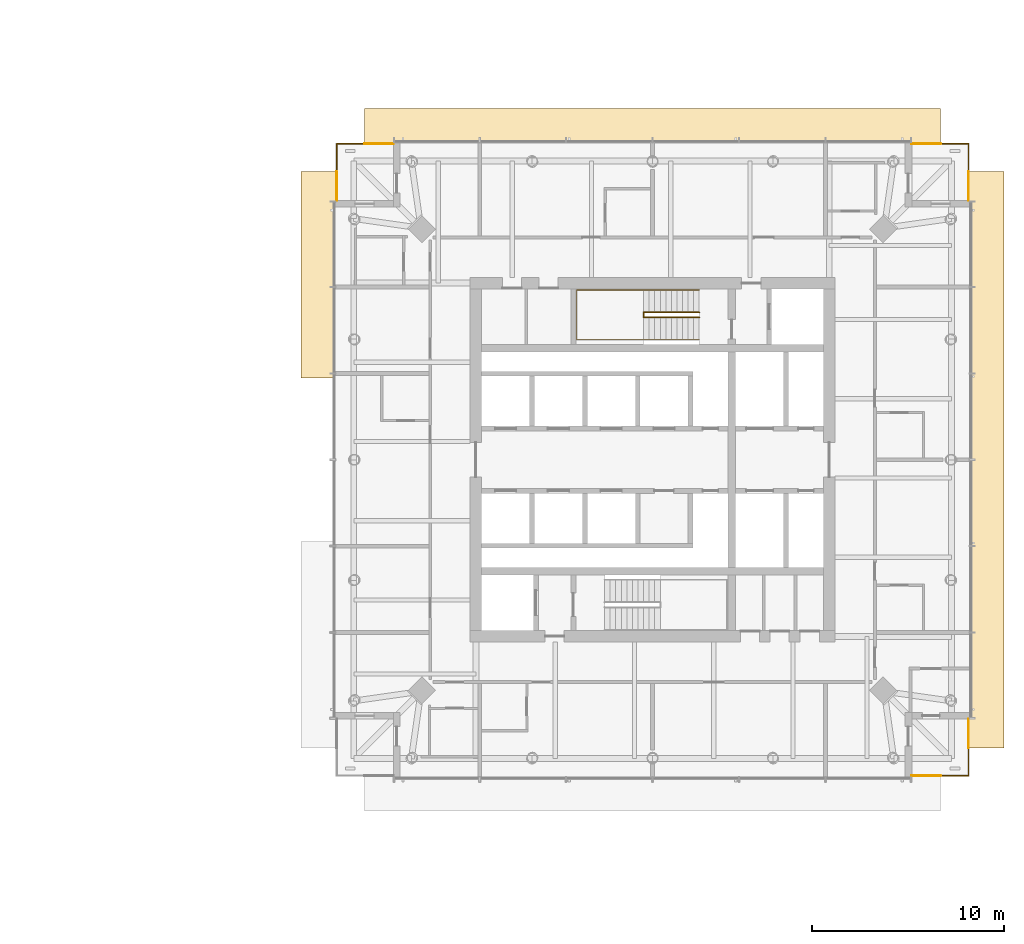
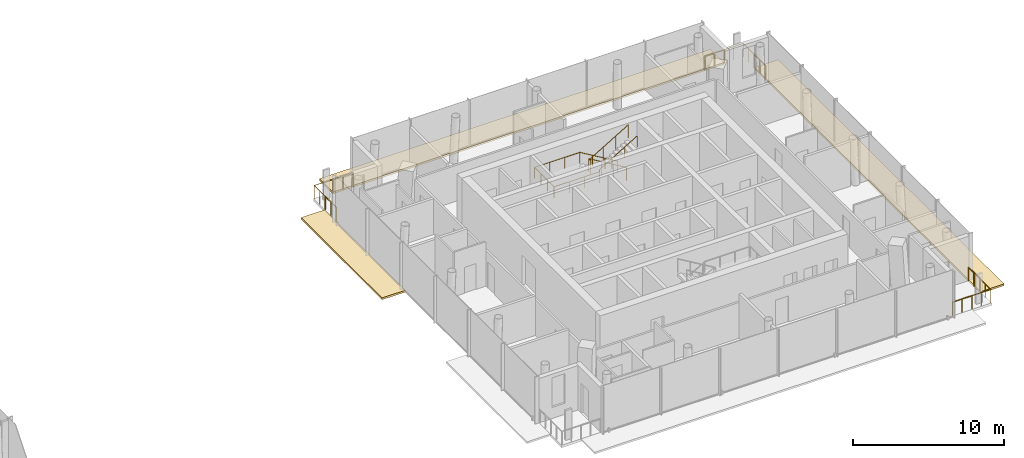
# One storey, part 20 of 20: 11 railings, 3 coverings.
"""IFC4 building model written with IfcOpenShell, lengths in metres."""

from ifc_helpers import new_model, si_unit, direction, frame, origin, origin_2d, place, context, subcontext, project, spatial, polyline, circle, outline, extrude, material, layer, layer_set, type_object, element, save


model = new_model("IFC4")

# Units and contexts
model_context = context("Model", 3, precision=1e-05, world=origin(), true_north=direction((0.0, 1.0)))
body_context = subcontext(model_context, "Body", "Model", "MODEL_VIEW")
ifc_project = project(units=[si_unit("LENGTHUNIT", "METRE"), si_unit("AREAUNIT", "SQUARE_METRE"), si_unit("VOLUMEUNIT", "CUBIC_METRE"), si_unit("PLANEANGLEUNIT", "RADIAN"), si_unit("MASSUNIT", "GRAM", prefix="KILO")], contexts=[model_context])

# Site, building, storey
site_placement = place(None, origin())
site = spatial("IfcSite", under=ifc_project, at=site_placement, CompositionType="ELEMENT")
building_placement = place(site_placement, origin())
building = spatial("IfcBuilding", under=site, at=building_placement, Name="Ostroluk Exchange", CompositionType="ELEMENT")
storey_placement = place(building_placement, frame((0.0, 0.0, 100.800048828125)))
storey = spatial("IfcBuildingStorey", under=building, at=storey_placement, Name="L25", CompositionType="ELEMENT", Elevation=100.800048828125)

# Railings
ifc_material_1 = material(Name="Stainless steel", Category="steel")
railing_type_1 = type_object("IfcRailingType", Name="Guard 1100 stainless steel", PredefinedType="GUARDRAIL", material=ifc_material_1)
railing_1_placement = place(storey_placement, frame((132.0, 29.550048828125, 0.0)))
element("IfcRailing", 1, at=railing_1_placement, inside=storey, type_object=railing_type_1, Name="Hotel tower SE balcony guard L25", PredefinedType="GUARDRAIL", context=body_context, shape_type="SweptSolid", body=[
    extrude(circle(Radius=0.02392578125, at=origin_2d()), frame((0.0, 0.0, 1.076171875), z_axis=(1.0, 0.0, 0.0), x_axis=(0.0, 1.0, 0.0)), (0.0, 0.0, 1.0), 1.449951171875),
    extrude(circle(Radius=0.02392578125, at=origin_2d()), frame((1.449951171875, 0.0, 1.076171875), z_axis=(0.0, 1.0, 0.0), x_axis=(-1.0, 0.0, 0.0)), (0.0, 0.0, 1.0), 1.449951171875),
    extrude(circle(Radius=0.02099609375, at=origin_2d()), origin(), (0.0, 0.0, 1.0), 1.052001953125),
    extrude(circle(Radius=0.02099609375, at=origin_2d()), frame((0.72509765625, 0.0, 0.0)), (0.0, 0.0, 1.0), 1.052001953125),
    extrude(circle(Radius=0.02099609375, at=origin_2d()), frame((1.449951171875, 0.0, 0.0)), (0.0, 0.0, 1.0), 1.052001953125),
    extrude(circle(Radius=0.02099609375, at=origin_2d()), frame((1.449951171875, 0.72509765625, 0.0)), (0.0, 0.0, 1.0), 1.052001953125),
    extrude(circle(Radius=0.02099609375, at=origin_2d()), frame((1.449951171875, 1.449951171875, 0.0)), (0.0, 0.0, 1.0), 1.052001953125),
])
railing_2_placement = place(storey_placement, frame((132.0, 62.449951171875, 0.0)))
element("IfcRailing", 2, at=railing_2_placement, inside=storey, type_object=railing_type_1, Name="Hotel tower NE balcony guard L25", PredefinedType="GUARDRAIL", context=body_context, shape_type="SweptSolid", body=[
    extrude(circle(Radius=0.02392578125, at=origin_2d()), frame((0.0, 0.0, 1.076171875), z_axis=(1.0, 0.0, 0.0), x_axis=(0.0, 1.0, 0.0)), (0.0, 0.0, 1.0), 1.449951171875),
    extrude(circle(Radius=0.02392578125, at=origin_2d()), frame((1.449951171875, 0.0, 1.076171875), z_axis=(0.0, -1.0, 0.0), x_axis=(1.0, 0.0, 0.0)), (0.0, 0.0, 1.0), 1.449951171875),
    extrude(circle(Radius=0.02099609375, at=origin_2d()), origin(), (0.0, 0.0, 1.0), 1.052001953125),
    extrude(circle(Radius=0.02099609375, at=origin_2d()), frame((0.72509765625, 0.0, 0.0)), (0.0, 0.0, 1.0), 1.052001953125),
    extrude(circle(Radius=0.02099609375, at=origin_2d()), frame((1.449951171875, 0.0, 0.0)), (0.0, 0.0, 1.0), 1.052001953125),
    extrude(circle(Radius=0.02099609375, at=origin_2d()), frame((1.449951171875, -0.72509765625, 0.0)), (0.0, 0.0, 1.0), 1.052001953125),
    extrude(circle(Radius=0.02099609375, at=origin_2d()), frame((1.449951171875, -1.449951171875, 0.0)), (0.0, 0.0, 1.0), 1.052001953125),
])
railing_3_placement = place(storey_placement, frame((102.0, 62.449951171875, 0.0)))
element("IfcRailing", 3, at=railing_3_placement, inside=storey, type_object=railing_type_1, Name="Hotel tower NW balcony guard L25", PredefinedType="GUARDRAIL", context=body_context, shape_type="SweptSolid", body=[
    extrude(circle(Radius=0.02392578125, at=origin_2d()), frame((0.0, 0.0, 1.076171875), z_axis=(-1.0, 0.0, 0.0), x_axis=(0.0, -1.0, 0.0)), (0.0, 0.0, 1.0), 1.449951171875),
    extrude(circle(Radius=0.02392578125, at=origin_2d()), frame((-1.449951171875, 0.0, 1.076171875), z_axis=(0.0, -1.0, 0.0), x_axis=(1.0, 0.0, 0.0)), (0.0, 0.0, 1.0), 1.449951171875),
    extrude(circle(Radius=0.02099609375, at=origin_2d()), origin(), (0.0, 0.0, 1.0), 1.052001953125),
    extrude(circle(Radius=0.02099609375, at=origin_2d()), frame((-0.72509765625, 0.0, 0.0)), (0.0, 0.0, 1.0), 1.052001953125),
    extrude(circle(Radius=0.02099609375, at=origin_2d()), frame((-1.449951171875, 0.0, 0.0)), (0.0, 0.0, 1.0), 1.052001953125),
    extrude(circle(Radius=0.02099609375, at=origin_2d()), frame((-1.449951171875, -0.72509765625, 0.0)), (0.0, 0.0, 1.0), 1.052001953125),
    extrude(circle(Radius=0.02099609375, at=origin_2d()), frame((-1.449951171875, -1.449951171875, 0.0)), (0.0, 0.0, 1.0), 1.052001953125),
])
ifc_material_2 = material(Name="Stainless steel", Category="steel")
railing_type_2 = type_object("IfcRailingType", Name="Lockable maintenance gate 1100", PredefinedType="GUARDRAIL", material=ifc_material_2)
railing_4_placement = place(storey_placement, frame((130.5, 29.550048828125, 0.0)))
element("IfcRailing", 4, at=railing_4_placement, inside=storey, type_object=railing_type_2, Name="Lockable maintenance gate T2 L25 SE", PredefinedType="GUARDRAIL", context=body_context, shape_type="SweptSolid", body=[
    extrude(circle(Radius=0.02392578125, at=origin_2d()), frame((0.0, 0.0, 1.076171875), z_axis=(1.0, 0.0, 0.0), x_axis=(0.0, 1.0, 0.0)), (0.0, 0.0, 1.0), 1.5),
    extrude(circle(Radius=0.02099609375, at=origin_2d()), origin(), (0.0, 0.0, 1.0), 1.052001953125),
    extrude(circle(Radius=0.02099609375, at=origin_2d()), frame((0.75, 0.0, 0.0)), (0.0, 0.0, 1.0), 1.052001953125),
    extrude(circle(Radius=0.02099609375, at=origin_2d()), frame((1.5, 0.0, 0.0)), (0.0, 0.0, 1.0), 1.052001953125),
])
railing_5_placement = place(storey_placement, frame((133.449951171875, 31.0, 0.0)))
element("IfcRailing", 5, at=railing_5_placement, inside=storey, type_object=railing_type_2, Name="Lockable maintenance gate T2 L25 SE", PredefinedType="GUARDRAIL", context=body_context, shape_type="SweptSolid", body=[
    extrude(circle(Radius=0.02392578125, at=origin_2d()), frame((0.0, 0.0, 1.076171875), z_axis=(0.0, 1.0, 0.0), x_axis=(-1.0, 0.0, 0.0)), (0.0, 0.0, 1.0), 1.5),
    extrude(circle(Radius=0.02099609375, at=origin_2d()), origin(), (0.0, 0.0, 1.0), 1.052001953125),
    extrude(circle(Radius=0.02099609375, at=origin_2d()), frame((0.0, 0.75, 0.0)), (0.0, 0.0, 1.0), 1.052001953125),
    extrude(circle(Radius=0.02099609375, at=origin_2d()), frame((0.0, 1.5, 0.0)), (0.0, 0.0, 1.0), 1.052001953125),
])
railing_6_placement = place(storey_placement, frame((130.5, 62.449951171875, 0.0)))
element("IfcRailing", 6, at=railing_6_placement, inside=storey, type_object=railing_type_2, Name="Lockable maintenance gate T2 L25 NE", PredefinedType="GUARDRAIL", context=body_context, shape_type="SweptSolid", body=[
    extrude(circle(Radius=0.02392578125, at=origin_2d()), frame((0.0, 0.0, 1.076171875), z_axis=(1.0, 0.0, 0.0), x_axis=(0.0, 1.0, 0.0)), (0.0, 0.0, 1.0), 1.5),
    extrude(circle(Radius=0.02099609375, at=origin_2d()), origin(), (0.0, 0.0, 1.0), 1.052001953125),
    extrude(circle(Radius=0.02099609375, at=origin_2d()), frame((0.75, 0.0, 0.0)), (0.0, 0.0, 1.0), 1.052001953125),
    extrude(circle(Radius=0.02099609375, at=origin_2d()), frame((1.5, 0.0, 0.0)), (0.0, 0.0, 1.0), 1.052001953125),
])
railing_7_placement = place(storey_placement, frame((133.449951171875, 61.0, 0.0)))
element("IfcRailing", 7, at=railing_7_placement, inside=storey, type_object=railing_type_2, Name="Lockable maintenance gate T2 L25 NE", PredefinedType="GUARDRAIL", context=body_context, shape_type="SweptSolid", body=[
    extrude(circle(Radius=0.02392578125, at=origin_2d()), frame((0.0, 0.0, 1.076171875), z_axis=(0.0, -1.0, 0.0), x_axis=(1.0, 0.0, 0.0)), (0.0, 0.0, 1.0), 1.5),
    extrude(circle(Radius=0.02099609375, at=origin_2d()), origin(), (0.0, 0.0, 1.0), 1.052001953125),
    extrude(circle(Radius=0.02099609375, at=origin_2d()), frame((0.0, -0.75, 0.0)), (0.0, 0.0, 1.0), 1.052001953125),
    extrude(circle(Radius=0.02099609375, at=origin_2d()), frame((0.0, -1.5, 0.0)), (0.0, 0.0, 1.0), 1.052001953125),
])
railing_8_placement = place(storey_placement, frame((103.5, 62.449951171875, 0.0)))
element("IfcRailing", 8, at=railing_8_placement, inside=storey, type_object=railing_type_2, Name="Lockable maintenance gate T2 L25 NW", PredefinedType="GUARDRAIL", context=body_context, shape_type="SweptSolid", body=[
    extrude(circle(Radius=0.02392578125, at=origin_2d()), frame((0.0, 0.0, 1.076171875), z_axis=(-1.0, 0.0, 0.0), x_axis=(0.0, -1.0, 0.0)), (0.0, 0.0, 1.0), 1.5),
    extrude(circle(Radius=0.02099609375, at=origin_2d()), origin(), (0.0, 0.0, 1.0), 1.052001953125),
    extrude(circle(Radius=0.02099609375, at=origin_2d()), frame((-0.75, 0.0, 0.0)), (0.0, 0.0, 1.0), 1.052001953125),
    extrude(circle(Radius=0.02099609375, at=origin_2d()), frame((-1.5, 0.0, 0.0)), (0.0, 0.0, 1.0), 1.052001953125),
])
railing_9_placement = place(storey_placement, frame((100.550048828125, 61.0, 0.0)))
element("IfcRailing", 9, at=railing_9_placement, inside=storey, type_object=railing_type_2, Name="Lockable maintenance gate T2 L25 NW", PredefinedType="GUARDRAIL", context=body_context, shape_type="SweptSolid", body=[
    extrude(circle(Radius=0.02392578125, at=origin_2d()), frame((0.0, 0.0, 1.076171875), z_axis=(0.0, -1.0, 0.0), x_axis=(1.0, 0.0, 0.0)), (0.0, 0.0, 1.0), 1.5),
    extrude(circle(Radius=0.02099609375, at=origin_2d()), origin(), (0.0, 0.0, 1.0), 1.052001953125),
    extrude(circle(Radius=0.02099609375, at=origin_2d()), frame((0.0, -0.75, 0.0)), (0.0, 0.0, 1.0), 1.052001953125),
    extrude(circle(Radius=0.02099609375, at=origin_2d()), frame((0.0, -1.5, 0.0)), (0.0, 0.0, 1.0), 1.052001953125),
])

# Coverings
ifc_material_3 = material(Name="Insulated steel roof deck with membrane, laid to falls, aluminium coping", Category="steel")
ifc_layer = layer(ifc_material_3, 0.14990234375)
ifc_layer_set = layer_set([ifc_layer], Name="Setback maintenance roof")
covering_type = type_object("IfcCoveringType", Name="Setback maintenance roof", PredefinedType="ROOFING", material=ifc_layer_set)
covering_1_placement = place(storey_placement, frame((0.0, 0.0, -0.150146484375)))
element("IfcCovering", 10, at=covering_1_placement, inside=storey, type_object=covering_type, Name="Maintenance roof, setback L25 east", PredefinedType="ROOFING", context=body_context, shape_type="SweptSolid", body=[
    extrude(outline(polyline([(133.5, 61.0), (135.300048828125, 61.0), (135.300048828125, 31.0), (133.5, 31.0), (133.5, 61.0)])), origin(), (0.0, 0.0, 1.0), 0.150146484375),
])
covering_2_placement = place(storey_placement, frame((0.0, 0.0, -0.150146484375)))
element("IfcCovering", 11, at=covering_2_placement, inside=storey, type_object=covering_type, Name="Maintenance roof, setback L25 north", PredefinedType="ROOFING", context=body_context, shape_type="SweptSolid", body=[
    extrude(outline(polyline([(102.0, 64.300048828125), (132.0, 64.300048828125), (132.0, 62.5), (102.0, 62.5), (102.0, 64.300048828125)])), origin(), (0.0, 0.0, 1.0), 0.150146484375),
])
covering_3_placement = place(storey_placement, frame((0.0, 0.0, -0.150146484375)))
element("IfcCovering", 12, at=covering_3_placement, inside=storey, type_object=covering_type, Name="Maintenance roof, setback L25 west", PredefinedType="ROOFING", context=body_context, shape_type="SweptSolid", body=[
    extrude(outline(polyline([(98.699951171875, 61.0), (100.5, 61.0), (100.5, 50.25), (98.699951171875, 50.25), (98.699951171875, 61.0)])), origin(), (0.0, 0.0, 1.0), 0.150146484375),
])

# Railings
ifc_material_4 = material(Name="Steel S355", Category="steel")
railing_type_3 = type_object("IfcRailingType", Name="Stair guard 1100", PredefinedType="GUARDRAIL", material=ifc_material_4)
railing_10_placement = place(storey_placement, frame((119.429931640625, 53.679931640625, 0.172607421875)))
element("IfcRailing", 13, at=railing_10_placement, inside=storey, type_object=railing_type_3, Name="Stair T2-S2 guard L25", PredefinedType="GUARDRAIL", context=body_context, shape_type="SweptSolid", body=[
    extrude(circle(Radius=0.02392578125, at=origin_2d()), frame((0.0, 0.0, 1.076171875), z_axis=(-0.859141464434, 0.0, 0.511738159696), x_axis=(0.0, -1.0, 0.0)), (0.0, 0.0, 1.0), 3.375244140625),
    extrude(circle(Radius=0.02392578125, at=origin_2d()), frame((-2.89990234375, 0.0, 2.80322265625), z_axis=(0.0, -1.0, 0.0), x_axis=(1.0, 0.0, 0.0)), (0.0, 0.0, 1.0), 0.260009765625),
    extrude(circle(Radius=0.02392578125, at=origin_2d()), frame((-2.89990234375, -0.260009765625, 2.80322265625), z_axis=(0.0, 0.0, 1.0), x_axis=(1.0, 0.0, 0.0)), (0.0, 0.0, 1.0), 0.1728515625),
    extrude(circle(Radius=0.02392578125, at=origin_2d()), frame((-2.89990234375, -0.260009765625, 2.97607421875), z_axis=(0.859141464434, 0.0, 0.511738159696), x_axis=(0.0, 1.0, 0.0)), (0.0, 0.0, 1.0), 3.375244140625),
    extrude(circle(Radius=0.02099609375, at=origin_2d()), origin(), (0.0, 0.0, 1.0), 1.052001953125),
    extrude(circle(Radius=0.02099609375, at=origin_2d()), frame((-0.966552734375, 0.0, 0.57568359375)), (0.0, 0.0, 1.0), 1.052001953125),
    extrude(circle(Radius=0.02099609375, at=origin_2d()), frame((-1.933349609375, 0.0, 1.151611328125)), (0.0, 0.0, 1.0), 1.052001953125),
    extrude(circle(Radius=0.02099609375, at=origin_2d()), frame((-2.89990234375, 0.0, 1.727294921875)), (0.0, 0.0, 1.0), 1.052001953125),
    extrude(circle(Radius=0.02099609375, at=origin_2d()), frame((-2.89990234375, -0.260009765625, 1.727294921875)), (0.0, 0.0, 1.0), 1.052001953125),
    extrude(circle(Radius=0.02099609375, at=origin_2d()), frame((-2.89990234375, -0.260009765625, 1.900146484375)), (0.0, 0.0, 1.0), 1.052001953125),
    extrude(circle(Radius=0.02099609375, at=origin_2d()), frame((-1.933349609375, -0.260009765625, 2.475830078125)), (0.0, 0.0, 1.0), 1.052001953125),
    extrude(circle(Radius=0.02099609375, at=origin_2d()), frame((-0.966552734375, -0.260009765625, 3.0517578125)), (0.0, 0.0, 1.0), 1.052001953125),
    extrude(circle(Radius=0.02099609375, at=origin_2d()), frame((0.0, -0.260009765625, 3.62744140625)), (0.0, 0.0, 1.0), 1.052001953125),
])
ifc_material_5 = material(Name="Stainless steel", Category="steel")
railing_type_4 = type_object("IfcRailingType", Name="Stair handrail 900", PredefinedType="HANDRAIL", material=ifc_material_5)
railing_11_placement = place(storey_placement, frame((119.429931640625, 54.85009765625, 0.172607421875)))
element("IfcRailing", 14, at=railing_11_placement, inside=storey, type_object=railing_type_4, Name="Stair T2-S2 handrail L25", PredefinedType="HANDRAIL", context=body_context, shape_type="SweptSolid", body=[
    extrude(circle(Radius=0.02392578125, at=origin_2d()), frame((0.0, 0.0, 0.8759765625), z_axis=(-0.859141464434, 0.0, 0.511738159696), x_axis=(0.0, -1.0, 0.0)), (0.0, 0.0, 1.0), 3.375244140625),
    extrude(circle(Radius=0.02392578125, at=origin_2d()), frame((-2.89990234375, 0.0, 2.60302734375), z_axis=(-1.0, 0.0, 0.0), x_axis=(0.0, -1.0, 0.0)), (0.0, 0.0, 1.0), 3.47998046875),
    extrude(circle(Radius=0.02392578125, at=origin_2d()), frame((-6.3798828125, 0.0, 2.60302734375), z_axis=(0.0, -1.0, 0.0), x_axis=(1.0, 0.0, 0.0)), (0.0, 0.0, 1.0), 2.60009765625),
    extrude(circle(Radius=0.02392578125, at=origin_2d()), frame((-6.3798828125, -2.60009765625, 2.60302734375), z_axis=(1.0, 0.0, 0.0), x_axis=(0.0, 1.0, 0.0)), (0.0, 0.0, 1.0), 3.47998046875),
    extrude(circle(Radius=0.02392578125, at=origin_2d()), frame((-2.89990234375, -2.60009765625, 2.60302734375), z_axis=(0.0, 0.0, 1.0), x_axis=(1.0, 0.0, 0.0)), (0.0, 0.0, 1.0), 0.1728515625),
    extrude(circle(Radius=0.02392578125, at=origin_2d()), frame((-2.89990234375, -2.60009765625, 2.77587890625), z_axis=(0.859141464434, 0.0, 0.511738159696), x_axis=(0.0, 1.0, 0.0)), (0.0, 0.0, 1.0), 3.375244140625),
    extrude(circle(Radius=0.02099609375, at=origin_2d()), origin(), (0.0, 0.0, 1.0), 0.851806640625),
    extrude(circle(Radius=0.02099609375, at=origin_2d()), frame((-0.966552734375, 0.0, 0.57568359375)), (0.0, 0.0, 1.0), 0.851806640625),
    extrude(circle(Radius=0.02099609375, at=origin_2d()), frame((-1.933349609375, 0.0, 1.151611328125)), (0.0, 0.0, 1.0), 0.851806640625),
    extrude(circle(Radius=0.02099609375, at=origin_2d()), frame((-2.89990234375, 0.0, 1.727294921875)), (0.0, 0.0, 1.0), 0.851806640625),
    extrude(circle(Radius=0.02099609375, at=origin_2d()), frame((-4.059814453125, 0.0, 1.727294921875)), (0.0, 0.0, 1.0), 0.851806640625),
    extrude(circle(Radius=0.02099609375, at=origin_2d()), frame((-5.219970703125, 0.0, 1.727294921875)), (0.0, 0.0, 1.0), 0.851806640625),
    extrude(circle(Radius=0.02099609375, at=origin_2d()), frame((-6.3798828125, 0.0, 1.727294921875)), (0.0, 0.0, 1.0), 0.851806640625),
    extrude(circle(Radius=0.02099609375, at=origin_2d()), frame((-6.3798828125, -0.86669921875, 1.727294921875)), (0.0, 0.0, 1.0), 0.851806640625),
    extrude(circle(Radius=0.02099609375, at=origin_2d()), frame((-6.3798828125, -1.7333984375, 1.727294921875)), (0.0, 0.0, 1.0), 0.851806640625),
    extrude(circle(Radius=0.02099609375, at=origin_2d()), frame((-6.3798828125, -2.60009765625, 1.727294921875)), (0.0, 0.0, 1.0), 0.851806640625),
    extrude(circle(Radius=0.02099609375, at=origin_2d()), frame((-5.219970703125, -2.60009765625, 1.727294921875)), (0.0, 0.0, 1.0), 0.851806640625),
    extrude(circle(Radius=0.02099609375, at=origin_2d()), frame((-4.059814453125, -2.60009765625, 1.727294921875)), (0.0, 0.0, 1.0), 0.851806640625),
    extrude(circle(Radius=0.02099609375, at=origin_2d()), frame((-2.89990234375, -2.60009765625, 1.727294921875)), (0.0, 0.0, 1.0), 0.851806640625),
    extrude(circle(Radius=0.02099609375, at=origin_2d()), frame((-2.89990234375, -2.60009765625, 1.900146484375)), (0.0, 0.0, 1.0), 0.851806640625),
    extrude(circle(Radius=0.02099609375, at=origin_2d()), frame((-1.933349609375, -2.60009765625, 2.475830078125)), (0.0, 0.0, 1.0), 0.851806640625),
    extrude(circle(Radius=0.02099609375, at=origin_2d()), frame((-0.966552734375, -2.60009765625, 3.0517578125)), (0.0, 0.0, 1.0), 0.851806640625),
    extrude(circle(Radius=0.02099609375, at=origin_2d()), frame((0.0, -2.60009765625, 3.62744140625)), (0.0, 0.0, 1.0), 0.851806640625),
])

save(model, "model.ifc")
